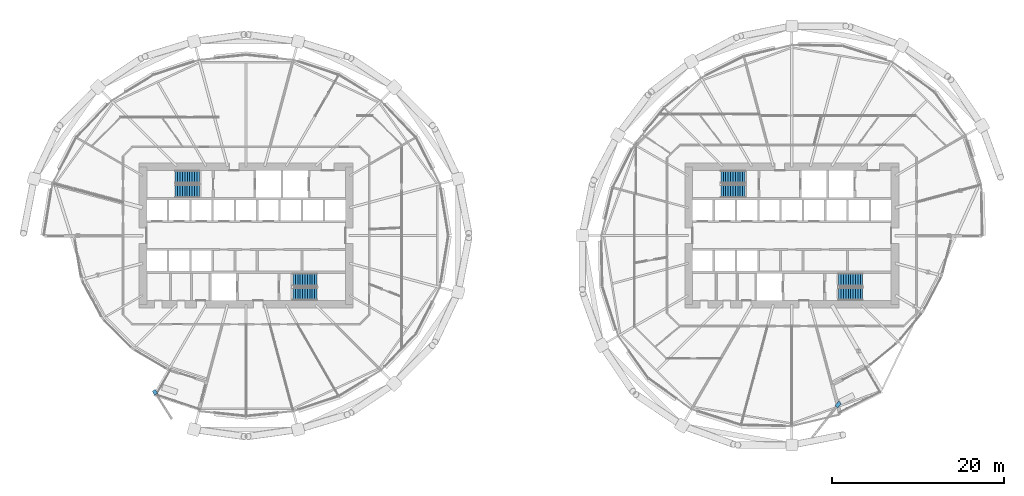
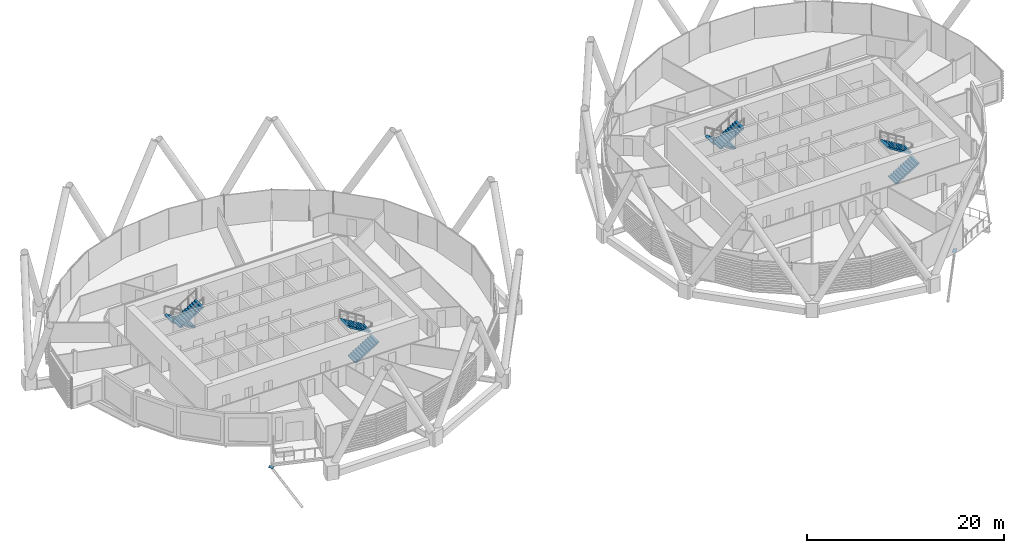
# One storey, part 26 of 36: 8 stair flights, 2 discrete accessories, 4 elements without a shape of their own.
"""IFC4 building model written with IfcOpenShell, lengths in metres."""

from ifc_helpers import new_model, si_unit, direction, frame, origin, origin_2d, place, context, subcontext, project, spatial, polyline, rectangle, outline, extrude, material, material_profile, profile_set, type_object, element, aggregate, save


model = new_model("IFC4")

# Units and contexts
model_context = context("Model", 3, precision=1e-05, world=origin(), true_north=direction((0.0, 1.0)))
body_context = subcontext(model_context, "Body", "Model", "MODEL_VIEW")
ifc_project = project(units=[si_unit("LENGTHUNIT", "METRE"), si_unit("AREAUNIT", "SQUARE_METRE"), si_unit("VOLUMEUNIT", "CUBIC_METRE"), si_unit("PLANEANGLEUNIT", "RADIAN"), si_unit("MASSUNIT", "GRAM", prefix="KILO")], contexts=[model_context])

# Site, building, storey
site_placement = place(None, origin())
site = spatial("IfcSite", under=ifc_project, at=site_placement, CompositionType="ELEMENT")
building_placement = place(site_placement, origin())
building = spatial("IfcBuilding", under=site, at=building_placement, Name="Rimbun Link Towers", CompositionType="ELEMENT")
storey_placement = place(building_placement, frame((0.0, 0.0, 64.199951171875)))
storey = spatial("IfcBuildingStorey", under=building, at=storey_placement, Name="L15", CompositionType="ELEMENT", Elevation=64.199951171875)

# Stair, stair flights
ifc_material_1 = material(Name="Concrete C40/50", Category="concrete")
stair_type = type_object("IfcStairType", Name="Exit stair 3800 rise", PredefinedType="HALF_TURN_STAIR", material=ifc_material_1)
stair_1_placement = place(storey_placement, origin())
stair_1 = element("IfcStair", 1, at=stair_1_placement, inside=storey, type_object=stair_type, Name="L15 EXIT STAIR A", PredefinedType="HALF_TURN_STAIR")
ifc_material_2 = material(Name="Concrete C40/50", Category="concrete")
stair_flight_type = type_object("IfcStairFlightType", Name="Exit stair flight 3800 rise", PredefinedType="STRAIGHT", material=ifc_material_2)
stair_flight_1_placement = place(storey_placement, frame((-37.199951171875, 6.800048828125, 0.0), z_axis=(0.0, 0.0, 1.0), x_axis=(-1.0, 0.0, 0.0)))
stair_flight_1 = element("IfcStairFlight", 2, at=stair_flight_1_placement, type_object=stair_flight_type, Name="ST1 flight 1", NumberOfRisers=11, NumberOfTreads=10, PredefinedType="STRAIGHT", RiserHeight=0.172727273, TreadLength=0.28, context=body_context, shape_type="SweptSolid", body=[
    extrude(outline(polyline([(0.0, 0.0), (0.0, 0.172607421875), (0.280029296875, 0.172607421875), (0.280029296875, 0.345458984375), (0.56005859375, 0.345458984375), (0.56005859375, 0.51806640625), (0.840087890625, 0.51806640625), (0.840087890625, 0.69091796875), (1.1201171875, 0.69091796875), (1.1201171875, 0.863525390625), (1.39990234375, 0.863525390625), (1.39990234375, 1.036376953125), (1.679931640625, 1.036376953125), (1.679931640625, 1.208984375), (1.9599609375, 1.208984375), (1.9599609375, 1.3818359375), (2.239990234375, 1.3818359375), (2.239990234375, 1.554443359375), (2.52001953125, 1.554443359375), (2.52001953125, 1.727294921875), (2.800048828125, 1.727294921875), (2.800048828125, 1.89990234375), (2.800048828125, 1.551025390625), (0.280029296875, 0.0), (0.0, 0.0)])), frame((0.0, 0.75, 0.0), z_axis=(0.0, -1.0, 0.0), x_axis=(1.0, 0.0, 0.0)), (0.0, 0.0, 1.0), 1.5),
])
stair_flight_2_placement = place(storey_placement, frame((-40.0, 5.14990234375, 1.900146484375), z_axis=(0.0, 0.0, 1.0), x_axis=(1.0, 0.0, 0.0)))
stair_flight_2 = element("IfcStairFlight", 3, at=stair_flight_2_placement, type_object=stair_flight_type, Name="ST1 flight 2", NumberOfRisers=11, NumberOfTreads=10, PredefinedType="STRAIGHT", RiserHeight=0.172727273, TreadLength=0.28, context=body_context, shape_type="SweptSolid", body=[
    extrude(outline(polyline([(0.0, 0.0), (0.0, 0.172607421875), (0.280029296875, 0.172607421875), (0.280029296875, 0.345458984375), (0.56005859375, 0.345458984375), (0.56005859375, 0.51806640625), (0.840087890625, 0.51806640625), (0.840087890625, 0.69091796875), (1.1201171875, 0.69091796875), (1.1201171875, 0.863525390625), (1.39990234375, 0.863525390625), (1.39990234375, 1.036376953125), (1.679931640625, 1.036376953125), (1.679931640625, 1.208984375), (1.9599609375, 1.208984375), (1.9599609375, 1.3818359375), (2.239990234375, 1.3818359375), (2.239990234375, 1.554443359375), (2.52001953125, 1.554443359375), (2.52001953125, 1.727294921875), (2.800048828125, 1.727294921875), (2.800048828125, 1.89990234375), (2.800048828125, 1.551025390625), (0.280029296875, 0.0), (0.0, 0.0)])), frame((0.0, 0.75, 0.0), z_axis=(0.0, -1.0, 0.0), x_axis=(1.0, 0.0, 0.0)), (0.0, 0.0, 1.0), 1.5),
])
aggregate(stair_1, [stair_flight_1, stair_flight_2])

stair_2_placement = place(storey_placement, origin())
stair_2 = element("IfcStair", 4, at=stair_2_placement, inside=storey, type_object=stair_type, Name="L15 EXIT STAIR B", PredefinedType="HALF_TURN_STAIR")
stair_flight_3_placement = place(storey_placement, frame((-26.300048828125, -6.800048828125, 0.0), z_axis=(0.0, 0.0, 1.0), x_axis=(1.0, 0.0, 0.0)))
stair_flight_3 = element("IfcStairFlight", 5, at=stair_flight_3_placement, type_object=stair_flight_type, Name="ST2 flight 1", NumberOfRisers=11, NumberOfTreads=10, PredefinedType="STRAIGHT", RiserHeight=0.172727273, TreadLength=0.28, context=body_context, shape_type="SweptSolid", body=[
    extrude(outline(polyline([(0.0, 0.0), (0.0, 0.172607421875), (0.280029296875, 0.172607421875), (0.280029296875, 0.345458984375), (0.56005859375, 0.345458984375), (0.56005859375, 0.51806640625), (0.840087890625, 0.51806640625), (0.840087890625, 0.69091796875), (1.1201171875, 0.69091796875), (1.1201171875, 0.863525390625), (1.39990234375, 0.863525390625), (1.39990234375, 1.036376953125), (1.679931640625, 1.036376953125), (1.679931640625, 1.208984375), (1.9599609375, 1.208984375), (1.9599609375, 1.3818359375), (2.239990234375, 1.3818359375), (2.239990234375, 1.554443359375), (2.52001953125, 1.554443359375), (2.52001953125, 1.727294921875), (2.800048828125, 1.727294921875), (2.800048828125, 1.89990234375), (2.800048828125, 1.551025390625), (0.280029296875, 0.0), (0.0, 0.0)])), frame((0.0, 0.75, 0.0), z_axis=(0.0, -1.0, 0.0), x_axis=(1.0, 0.0, 0.0)), (0.0, 0.0, 1.0), 1.5),
])
stair_flight_4_placement = place(storey_placement, frame((-23.5, -5.14990234375, 1.900146484375), z_axis=(0.0, 0.0, 1.0), x_axis=(-1.0, 0.0, 0.0)))
stair_flight_4 = element("IfcStairFlight", 6, at=stair_flight_4_placement, type_object=stair_flight_type, Name="ST2 flight 2", NumberOfRisers=11, NumberOfTreads=10, PredefinedType="STRAIGHT", RiserHeight=0.172727273, TreadLength=0.28, context=body_context, shape_type="SweptSolid", body=[
    extrude(outline(polyline([(0.0, 0.0), (0.0, 0.172607421875), (0.280029296875, 0.172607421875), (0.280029296875, 0.345458984375), (0.56005859375, 0.345458984375), (0.56005859375, 0.51806640625), (0.840087890625, 0.51806640625), (0.840087890625, 0.69091796875), (1.1201171875, 0.69091796875), (1.1201171875, 0.863525390625), (1.39990234375, 0.863525390625), (1.39990234375, 1.036376953125), (1.679931640625, 1.036376953125), (1.679931640625, 1.208984375), (1.9599609375, 1.208984375), (1.9599609375, 1.3818359375), (2.239990234375, 1.3818359375), (2.239990234375, 1.554443359375), (2.52001953125, 1.554443359375), (2.52001953125, 1.727294921875), (2.800048828125, 1.727294921875), (2.800048828125, 1.89990234375), (2.800048828125, 1.551025390625), (0.280029296875, 0.0), (0.0, 0.0)])), frame((0.0, 0.75, 0.0), z_axis=(0.0, -1.0, 0.0), x_axis=(1.0, 0.0, 0.0)), (0.0, 0.0, 1.0), 1.5),
])
aggregate(stair_2, [stair_flight_3, stair_flight_4])

stair_3_placement = place(storey_placement, origin())
stair_3 = element("IfcStair", 7, at=stair_3_placement, inside=storey, type_object=stair_type, Name="L15 EXIT STAIR A", PredefinedType="HALF_TURN_STAIR")
stair_flight_5_placement = place(storey_placement, frame((26.300048828125, 6.800048828125, 0.0), z_axis=(0.0, 0.0, 1.0), x_axis=(-1.0, 0.0, 0.0)))
stair_flight_5 = element("IfcStairFlight", 8, at=stair_flight_5_placement, type_object=stair_flight_type, Name="ST3 flight 1", NumberOfRisers=11, NumberOfTreads=10, PredefinedType="STRAIGHT", RiserHeight=0.172727273, TreadLength=0.28, context=body_context, shape_type="SweptSolid", body=[
    extrude(outline(polyline([(0.0, 0.0), (0.0, 0.172607421875), (0.280029296875, 0.172607421875), (0.280029296875, 0.345458984375), (0.56005859375, 0.345458984375), (0.56005859375, 0.51806640625), (0.840087890625, 0.51806640625), (0.840087890625, 0.69091796875), (1.1201171875, 0.69091796875), (1.1201171875, 0.863525390625), (1.39990234375, 0.863525390625), (1.39990234375, 1.036376953125), (1.679931640625, 1.036376953125), (1.679931640625, 1.208984375), (1.9599609375, 1.208984375), (1.9599609375, 1.3818359375), (2.239990234375, 1.3818359375), (2.239990234375, 1.554443359375), (2.52001953125, 1.554443359375), (2.52001953125, 1.727294921875), (2.800048828125, 1.727294921875), (2.800048828125, 1.89990234375), (2.800048828125, 1.551025390625), (0.280029296875, 0.0), (0.0, 0.0)])), frame((0.0, 0.75, 0.0), z_axis=(0.0, -1.0, 0.0), x_axis=(1.0, 0.0, 0.0)), (0.0, 0.0, 1.0), 1.5),
])
stair_flight_6_placement = place(storey_placement, frame((23.5, 5.14990234375, 1.900146484375), z_axis=(0.0, 0.0, 1.0), x_axis=(1.0, 0.0, 0.0)))
stair_flight_6 = element("IfcStairFlight", 9, at=stair_flight_6_placement, type_object=stair_flight_type, Name="ST3 flight 2", NumberOfRisers=11, NumberOfTreads=10, PredefinedType="STRAIGHT", RiserHeight=0.172727273, TreadLength=0.28, context=body_context, shape_type="SweptSolid", body=[
    extrude(outline(polyline([(0.0, 0.0), (0.0, 0.172607421875), (0.280029296875, 0.172607421875), (0.280029296875, 0.345458984375), (0.56005859375, 0.345458984375), (0.56005859375, 0.51806640625), (0.840087890625, 0.51806640625), (0.840087890625, 0.69091796875), (1.1201171875, 0.69091796875), (1.1201171875, 0.863525390625), (1.39990234375, 0.863525390625), (1.39990234375, 1.036376953125), (1.679931640625, 1.036376953125), (1.679931640625, 1.208984375), (1.9599609375, 1.208984375), (1.9599609375, 1.3818359375), (2.239990234375, 1.3818359375), (2.239990234375, 1.554443359375), (2.52001953125, 1.554443359375), (2.52001953125, 1.727294921875), (2.800048828125, 1.727294921875), (2.800048828125, 1.89990234375), (2.800048828125, 1.551025390625), (0.280029296875, 0.0), (0.0, 0.0)])), frame((0.0, 0.75, 0.0), z_axis=(0.0, -1.0, 0.0), x_axis=(1.0, 0.0, 0.0)), (0.0, 0.0, 1.0), 1.5),
])
aggregate(stair_3, [stair_flight_5, stair_flight_6])

stair_4_placement = place(storey_placement, origin())
stair_4 = element("IfcStair", 10, at=stair_4_placement, inside=storey, type_object=stair_type, Name="L15 EXIT STAIR B", PredefinedType="HALF_TURN_STAIR")
stair_flight_7_placement = place(storey_placement, frame((37.199951171875, -6.800048828125, 0.0), z_axis=(0.0, 0.0, 1.0), x_axis=(1.0, 0.0, 0.0)))
stair_flight_7 = element("IfcStairFlight", 11, at=stair_flight_7_placement, type_object=stair_flight_type, Name="ST4 flight 1", NumberOfRisers=11, NumberOfTreads=10, PredefinedType="STRAIGHT", RiserHeight=0.172727273, TreadLength=0.28, context=body_context, shape_type="SweptSolid", body=[
    extrude(outline(polyline([(0.0, 0.0), (0.0, 0.172607421875), (0.280029296875, 0.172607421875), (0.280029296875, 0.345458984375), (0.56005859375, 0.345458984375), (0.56005859375, 0.51806640625), (0.840087890625, 0.51806640625), (0.840087890625, 0.69091796875), (1.1201171875, 0.69091796875), (1.1201171875, 0.863525390625), (1.39990234375, 0.863525390625), (1.39990234375, 1.036376953125), (1.679931640625, 1.036376953125), (1.679931640625, 1.208984375), (1.9599609375, 1.208984375), (1.9599609375, 1.3818359375), (2.239990234375, 1.3818359375), (2.239990234375, 1.554443359375), (2.52001953125, 1.554443359375), (2.52001953125, 1.727294921875), (2.800048828125, 1.727294921875), (2.800048828125, 1.89990234375), (2.800048828125, 1.551025390625), (0.280029296875, 0.0), (0.0, 0.0)])), frame((0.0, 0.75, 0.0), z_axis=(0.0, -1.0, 0.0), x_axis=(1.0, 0.0, 0.0)), (0.0, 0.0, 1.0), 1.5),
])
stair_flight_8_placement = place(storey_placement, frame((40.0, -5.14990234375, 1.900146484375), z_axis=(0.0, 0.0, 1.0), x_axis=(-1.0, 0.0, 0.0)))
stair_flight_8 = element("IfcStairFlight", 12, at=stair_flight_8_placement, type_object=stair_flight_type, Name="ST4 flight 2", NumberOfRisers=11, NumberOfTreads=10, PredefinedType="STRAIGHT", RiserHeight=0.172727273, TreadLength=0.28, context=body_context, shape_type="SweptSolid", body=[
    extrude(outline(polyline([(0.0, 0.0), (0.0, 0.172607421875), (0.280029296875, 0.172607421875), (0.280029296875, 0.345458984375), (0.56005859375, 0.345458984375), (0.56005859375, 0.51806640625), (0.840087890625, 0.51806640625), (0.840087890625, 0.69091796875), (1.1201171875, 0.69091796875), (1.1201171875, 0.863525390625), (1.39990234375, 0.863525390625), (1.39990234375, 1.036376953125), (1.679931640625, 1.036376953125), (1.679931640625, 1.208984375), (1.9599609375, 1.208984375), (1.9599609375, 1.3818359375), (2.239990234375, 1.3818359375), (2.239990234375, 1.554443359375), (2.52001953125, 1.554443359375), (2.52001953125, 1.727294921875), (2.800048828125, 1.727294921875), (2.800048828125, 1.89990234375), (2.800048828125, 1.551025390625), (0.280029296875, 0.0), (0.0, 0.0)])), frame((0.0, 0.75, 0.0), z_axis=(0.0, -1.0, 0.0), x_axis=(1.0, 0.0, 0.0)), (0.0, 0.0, 1.0), 1.5),
])
aggregate(stair_4, [stair_flight_7, stair_flight_8])

# Discrete accessories
ifc_material_3 = material(Name="Steel S355J2H", Category="steel")
ifc_material_profile = material_profile(ifc_material_3, rectangle(XDim=0.43310546875, YDim=0.43310546875, at=origin_2d()), Name="PL 433x433")
ifc_profile_set = profile_set([ifc_material_profile], Name="Steel S355J2H")
discrete_accessory_type = type_object("IfcDiscreteAccessoryType", Name="Link head end plate 433X20", PredefinedType="BRACKET", material=ifc_profile_set)
discrete_accessory_1_placement = place(storey_placement, frame((0.0, 0.0, -0.782470703125)))
element("IfcDiscreteAccessory", 13, at=discrete_accessory_1_placement, inside=storey, type_object=discrete_accessory_type, Name="Link head end plate T1 L15 16", PredefinedType="BRACKET", context=body_context, shape_type="SweptSolid", body=[
    extrude(outline(polyline([(-42.679443359375, -18.1318359375), (-42.394287109375, -18.583984375), (-42.028076171875, -18.35302734375), (-42.313232421875, -17.90087890625), (-42.679443359375, -18.1318359375)])), origin(), (0.0, 0.0, 1.0), 0.02001953125),
])
discrete_accessory_2_placement = place(storey_placement, frame((0.0, 0.0, -0.863525390625)))
element("IfcDiscreteAccessory", 14, at=discrete_accessory_2_placement, inside=storey, type_object=discrete_accessory_type, Name="Link head end plate T2 L15 16", PredefinedType="BRACKET", context=body_context, shape_type="SweptSolid", body=[
    extrude(outline(polyline([(37.189208984375, -19.271484375), (36.77001953125, -19.801025390625), (37.109375, -20.06982421875), (37.52880859375, -19.540283203125), (37.189208984375, -19.271484375)])), origin(), (0.0, 0.0, 1.0), 0.02001953125),
])

save(model, "model.ifc")
